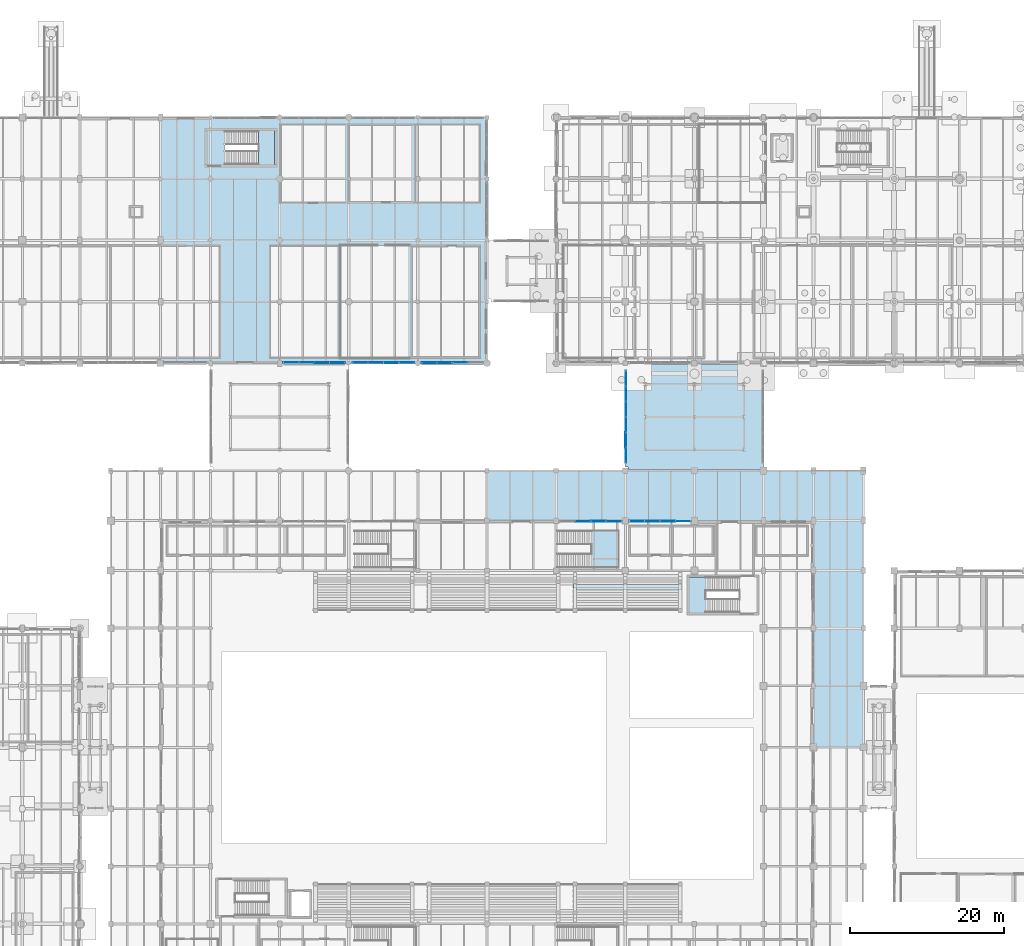
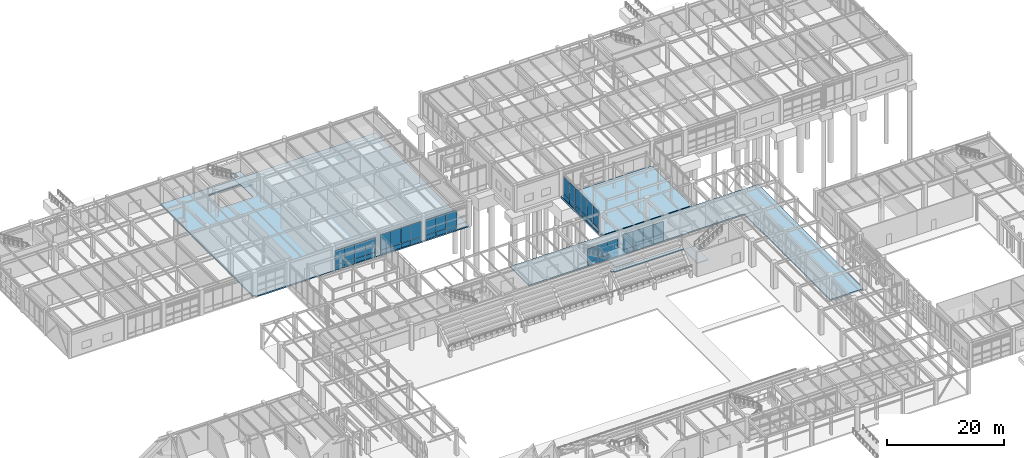
# One storey, part 156 of 203: 48 plates, 7 slabs, 9 elements without a shape of their own.
"""IFC4 building model written with IfcOpenShell, lengths in metres."""

from ifc_helpers import new_model, si_unit, direction, frame, origin, origin_2d, place, context, subcontext, project, spatial, polyline, rectangle, outline, extrude, material, layer, layer_set, type_object, element, aggregate, save


model = new_model("IFC4")

# Units and contexts
model_context = context("Model", 3, precision=1e-05, world=origin(), true_north=direction((0.0, 1.0)))
body_context = subcontext(model_context, "Body", "Model", "MODEL_VIEW")
ifc_project = project(units=[si_unit("LENGTHUNIT", "METRE"), si_unit("AREAUNIT", "SQUARE_METRE"), si_unit("VOLUMEUNIT", "CUBIC_METRE"), si_unit("PLANEANGLEUNIT", "RADIAN"), si_unit("MASSUNIT", "GRAM", prefix="KILO"), si_unit("THERMODYNAMICTEMPERATUREUNIT", "KELVIN"), si_unit("POWERUNIT", "WATT")], contexts=[model_context])

# Site, building, storey
site_placement = place(None, origin())
site = spatial("IfcSite", under=ifc_project, at=site_placement, CompositionType="ELEMENT")
building_placement = place(site_placement, origin())
building = spatial("IfcBuilding", under=site, at=building_placement, Name="Tepalcoro Natatorium and Aquatics Centre", CompositionType="ELEMENT")
storey_placement = place(building_placement, origin())
storey = spatial("IfcBuildingStorey", under=building, at=storey_placement, Name="L00", CompositionType="ELEMENT", Elevation=0.0)

# Curtain wall, plate
ifc_material_1 = material(Name="Bronze-Anodised Extruded Aluminium Alloy EN AW-6063 T6", Category="aluminium")
curtain_wall_type_1 = type_object("IfcCurtainWallType", Name="CW_V3_FOYER", PredefinedType="USERDEFINED", material=ifc_material_1)
curtain_wall_1_placement = place(storey_placement, origin())
curtain_wall_1 = element("IfcCurtainWall", 1, at=curtain_wall_1_placement, inside=storey, type_object=curtain_wall_type_1, Name="V1 L00 N Unitised Curtain Wall Bay 7", ObjectType="UNITISED STOREFRONT", PredefinedType="USERDEFINED")
ifc_material_2 = material(Name="Solar-Control Bronze Tempered Low-E Double Glazing", Category="glass")
ifc_layer_1 = layer(ifc_material_2, 0.048095703125)
ifc_layer_set_1 = layer_set([ifc_layer_1], Name="Solar-Control Bronze Tempered Low-E Double Glazing")
plate_type_1 = type_object("IfcPlateType", Name="PL_ACOUSTIC_IGU_48", PredefinedType="CURTAIN_PANEL", material=ifc_layer_set_1)
plate_1_placement = place(storey_placement, frame((101.4951171875, 65.409912109375, 0.9599609375), z_axis=(0.0, 0.0, 1.0), x_axis=(1.0, 0.0, 0.0)))
plate_1 = element("IfcPlate", 2, at=plate_1_placement, type_object=plate_type_1, Name="CW_V3_FOYER Insulated Glazing Unit", PredefinedType="CURTAIN_PANEL", context=body_context, shape_type="SweptSolid", body=[
    extrude(rectangle(XDim=1.989990234375, YDim=0.048095703125, at=origin_2d()), origin(), (0.0, 0.0, 1.0), 2.631103515625),
])

# Curtain wall, plates
curtain_wall_type_2 = type_object("IfcCurtainWallType", Name="CW_V4_VILLAGE", PredefinedType="USERDEFINED", material=ifc_material_1)
curtain_wall_2_placement = place(storey_placement, origin())
curtain_wall_2 = element("IfcCurtainWall", 3, at=curtain_wall_2_placement, inside=storey, type_object=curtain_wall_type_2, Name="V1 L00 N Unitised Curtain Wall Bay 8", ObjectType="UNITISED STOREFRONT", PredefinedType="USERDEFINED")
plate_2_placement = place(storey_placement, frame((108.485107421875, 65.423828125, 0.9599609375), z_axis=(0.0, 0.0, 1.0), x_axis=(1.0, 0.0, 0.0)))
plate_2 = element("IfcPlate", 4, at=plate_2_placement, type_object=plate_type_1, Name="CW_V4_VILLAGE Insulated Glazing Unit", PredefinedType="CURTAIN_PANEL", context=body_context, shape_type="SweptSolid", body=[
    extrude(rectangle(XDim=1.989990234375, YDim=0.048095703125, at=origin_2d()), origin(), (0.0, 0.0, 1.0), 3.14404296875),
])
plate_3_placement = place(storey_placement, frame((114.514892578125, 65.423828125, 0.9599609375), z_axis=(0.0, 0.0, 1.0), x_axis=(1.0, 0.0, 0.0)))
plate_3 = element("IfcPlate", 5, at=plate_3_placement, type_object=plate_type_1, Name="CW_V4_VILLAGE Insulated Glazing Unit", PredefinedType="CURTAIN_PANEL", context=body_context, shape_type="SweptSolid", body=[
    extrude(rectangle(XDim=1.989990234375, YDim=0.048095703125, at=origin_2d()), origin(), (0.0, 0.0, 1.0), 3.14404296875),
])

# Curtain wall, plate
curtain_wall_type_3 = type_object("IfcCurtainWallType", Name="CW_LEAN_T1_EW", PredefinedType="USERDEFINED", material=ifc_material_1)
curtain_wall_3_placement = place(storey_placement, origin())
curtain_wall_3 = element("IfcCurtainWall", 6, at=curtain_wall_3_placement, inside=storey, type_object=curtain_wall_type_3, Name="V4 L00 S Unitised Curtain Wall Bay 7", ObjectType="FACETED SOLAR GLAZING", PredefinedType="USERDEFINED")
plate_4_placement = place(storey_placement, frame((65.4951171875, 86.0712890625, 0.9599609375), z_axis=(0.0, 0.0, 1.0), x_axis=(1.0, 0.0, 0.0)))
plate_4 = element("IfcPlate", 7, at=plate_4_placement, type_object=plate_type_1, Name="CW_LEAN_T1_EW Insulated Glazing Unit", PredefinedType="CURTAIN_PANEL", context=body_context, shape_type="SweptSolid", body=[
    extrude(rectangle(XDim=1.989990234375, YDim=0.048095703125, at=origin_2d()), origin(), (0.0, 0.0, 1.0), 2.998046875),
])

# Curtain wall, plates
curtain_wall_type_4 = type_object("IfcCurtainWallType", Name="CW_LEAN_T2_NS", PredefinedType="USERDEFINED", material=ifc_material_1)
curtain_wall_4_placement = place(storey_placement, origin())
curtain_wall_4 = element("IfcCurtainWall", 8, at=curtain_wall_4_placement, inside=storey, type_object=curtain_wall_type_4, Name="V4 L00 S Unitised Curtain Wall Bay 8", ObjectType="FACETED SOLAR GLAZING", PredefinedType="USERDEFINED")
plate_5_placement = place(storey_placement, frame((72.485107421875, 86.076171875, 0.9599609375), z_axis=(0.0, 0.0, 1.0), x_axis=(1.0, 0.0, 0.0)))
plate_5 = element("IfcPlate", 9, at=plate_5_placement, type_object=plate_type_1, Name="CW_LEAN_T2_NS Insulated Glazing Unit", PredefinedType="CURTAIN_PANEL", context=body_context, shape_type="SweptSolid", body=[
    extrude(rectangle(XDim=1.989990234375, YDim=0.048095703125, at=origin_2d()), origin(), (0.0, 0.0, 1.0), 3.197021484375),
])
plate_6_placement = place(storey_placement, frame((78.514892578125, 86.076171875, 0.9599609375), z_axis=(0.0, 0.0, 1.0), x_axis=(1.0, 0.0, 0.0)))
plate_6 = element("IfcPlate", 10, at=plate_6_placement, type_object=plate_type_1, Name="CW_LEAN_T2_NS Insulated Glazing Unit", PredefinedType="CURTAIN_PANEL", context=body_context, shape_type="SweptSolid", body=[
    extrude(rectangle(XDim=1.989990234375, YDim=0.048095703125, at=origin_2d()), origin(), (0.0, 0.0, 1.0), 3.197021484375),
])

# Curtain wall, plate
curtain_wall_type_5 = type_object("IfcCurtainWallType", Name="CW_LEAN_T2_EW", PredefinedType="USERDEFINED", material=ifc_material_1)
curtain_wall_5_placement = place(storey_placement, origin())
curtain_wall_5 = element("IfcCurtainWall", 11, at=curtain_wall_5_placement, inside=storey, type_object=curtain_wall_type_5, Name="V4 L00 S Unitised Curtain Wall Bay 9", ObjectType="FACETED SOLAR GLAZING", PredefinedType="USERDEFINED")
plate_7_placement = place(storey_placement, frame((85.5048828125, 86.0712890625, 0.9599609375), z_axis=(0.0, 0.0, 1.0), x_axis=(1.0, 0.0, 0.0)))
plate_7 = element("IfcPlate", 12, at=plate_7_placement, type_object=plate_type_1, Name="CW_LEAN_T2_EW Insulated Glazing Unit", PredefinedType="CURTAIN_PANEL", context=body_context, shape_type="SweptSolid", body=[
    extrude(rectangle(XDim=1.989990234375, YDim=0.048095703125, at=origin_2d()), origin(), (0.0, 0.0, 1.0), 3.14990234375),
])

# Curtain wall, plates
curtain_wall_type_6 = type_object("IfcCurtainWallType", Name="CW_LINK_150", PredefinedType="USERDEFINED", material=ifc_material_1)
curtain_wall_6_placement = place(storey_placement, origin())
curtain_wall_6 = element("IfcCurtainWall", 13, at=curtain_wall_6_placement, inside=storey, type_object=curtain_wall_type_6, Name="East Court Wellness Arcade Glazed Wall W L00", ObjectType="UNITISED STOREFRONT", PredefinedType="USERDEFINED")
plate_8_placement = place(storey_placement, frame((107.080078125, 76.0, 0.9599609375), z_axis=(0.0, 0.0, 1.0), x_axis=(1.0, 0.0, 0.0)))
plate_8 = element("IfcPlate", 14, at=plate_8_placement, type_object=plate_type_1, Name="CW_LINK_150 Insulated Glazing Unit", PredefinedType="CURTAIN_PANEL", context=body_context, shape_type="SweptSolid", body=[
    extrude(rectangle(XDim=0.048095703125, YDim=1.97998046875, at=origin_2d()), origin(), (0.0, 0.0, 1.0), 3.639892578125),
])
plate_9_placement = place(storey_placement, frame((107.080078125, 82.0, 0.9599609375), z_axis=(0.0, 0.0, 1.0), x_axis=(1.0, 0.0, 0.0)))
plate_9 = element("IfcPlate", 15, at=plate_9_placement, type_object=plate_type_1, Name="CW_LINK_150 Insulated Glazing Unit", PredefinedType="CURTAIN_PANEL", context=body_context, shape_type="SweptSolid", body=[
    extrude(rectangle(XDim=0.048095703125, YDim=1.97998046875, at=origin_2d()), origin(), (0.0, 0.0, 1.0), 3.639892578125),
])

# Plate
ifc_layer_2 = layer(ifc_material_2, 0.028076171875)
ifc_layer_set_2 = layer_set([ifc_layer_2], Name="Solar-Control Bronze Tempered Low-E Double Glazing")
plate_type_2 = type_object("IfcPlateType", Name="PL_BRONZE_IGU_28", PredefinedType="CURTAIN_PANEL", material=ifc_layer_set_2)
plate_10_placement = place(storey_placement, frame((105.514892578125, 65.409912109375, 0.9599609375), z_axis=(0.0, 0.0, 1.0), x_axis=(1.0, 0.0, 0.0)))
plate_10 = element("IfcPlate", 16, at=plate_10_placement, type_object=plate_type_2, Name="CW_V3_FOYER Insulated Glazing Unit", PredefinedType="CURTAIN_PANEL", context=body_context, shape_type="SweptSolid", body=[
    extrude(rectangle(XDim=1.989990234375, YDim=0.028076171875, at=origin_2d()), origin(), (0.0, 0.0, 1.0), 2.631103515625),
])

plate_11_placement = place(storey_placement, frame((112.5048828125, 65.423828125, 0.9599609375), z_axis=(0.0, 0.0, 1.0), x_axis=(1.0, 0.0, 0.0)))
plate_11 = element("IfcPlate", 17, at=plate_11_placement, type_object=plate_type_2, Name="CW_V4_VILLAGE Insulated Glazing Unit", PredefinedType="CURTAIN_PANEL", context=body_context, shape_type="SweptSolid", body=[
    extrude(rectangle(XDim=1.989990234375, YDim=0.028076171875, at=origin_2d()), origin(), (0.0, 0.0, 1.0), 3.14404296875),
])

plate_12_placement = place(storey_placement, frame((63.485107421875, 86.0712890625, 0.9599609375), z_axis=(0.0, 0.0, 1.0), x_axis=(1.0, 0.0, 0.0)))
plate_12 = element("IfcPlate", 18, at=plate_12_placement, type_object=plate_type_2, Name="CW_LEAN_T1_EW Insulated Glazing Unit", PredefinedType="CURTAIN_PANEL", context=body_context, shape_type="SweptSolid", body=[
    extrude(rectangle(XDim=1.989990234375, YDim=0.028076171875, at=origin_2d()), origin(), (0.0, 0.0, 1.0), 2.998046875),
])

plate_13_placement = place(storey_placement, frame((69.514892578125, 86.0712890625, 0.9599609375), z_axis=(0.0, 0.0, 1.0), x_axis=(1.0, 0.0, 0.0)))
plate_13 = element("IfcPlate", 19, at=plate_13_placement, type_object=plate_type_2, Name="CW_LEAN_T1_EW Insulated Glazing Unit", PredefinedType="CURTAIN_PANEL", context=body_context, shape_type="SweptSolid", body=[
    extrude(rectangle(XDim=1.989990234375, YDim=0.028076171875, at=origin_2d()), origin(), (0.0, 0.0, 1.0), 2.998046875),
])

plate_14_placement = place(storey_placement, frame((76.5048828125, 86.076171875, 0.9599609375), z_axis=(0.0, 0.0, 1.0), x_axis=(1.0, 0.0, 0.0)))
plate_14 = element("IfcPlate", 20, at=plate_14_placement, type_object=plate_type_2, Name="CW_LEAN_T2_NS Insulated Glazing Unit", PredefinedType="CURTAIN_PANEL", context=body_context, shape_type="SweptSolid", body=[
    extrude(rectangle(XDim=1.989990234375, YDim=0.028076171875, at=origin_2d()), origin(), (0.0, 0.0, 1.0), 3.197021484375),
])

plate_15_placement = place(storey_placement, frame((83.4951171875, 86.0712890625, 0.9599609375), z_axis=(0.0, 0.0, 1.0), x_axis=(1.0, 0.0, 0.0)))
plate_15 = element("IfcPlate", 21, at=plate_15_placement, type_object=plate_type_2, Name="CW_LEAN_T2_EW Insulated Glazing Unit", PredefinedType="CURTAIN_PANEL", context=body_context, shape_type="SweptSolid", body=[
    extrude(rectangle(XDim=1.989990234375, YDim=0.028076171875, at=origin_2d()), origin(), (0.0, 0.0, 1.0), 3.14990234375),
])

plate_16_placement = place(storey_placement, frame((107.080078125, 74.0, 0.9599609375), z_axis=(0.0, 0.0, 1.0), x_axis=(1.0, 0.0, 0.0)))
plate_16 = element("IfcPlate", 22, at=plate_16_placement, type_object=plate_type_2, Name="CW_LINK_150 Insulated Glazing Unit", PredefinedType="CURTAIN_PANEL", context=body_context, shape_type="SweptSolid", body=[
    extrude(rectangle(XDim=0.028076171875, YDim=1.97998046875, at=origin_2d()), origin(), (0.0, 0.0, 1.0), 3.639892578125),
])

plate_17_placement = place(storey_placement, frame((107.080078125, 80.0, 0.9599609375), z_axis=(0.0, 0.0, 1.0), x_axis=(1.0, 0.0, 0.0)))
plate_17 = element("IfcPlate", 23, at=plate_17_placement, type_object=plate_type_2, Name="CW_LINK_150 Insulated Glazing Unit", PredefinedType="CURTAIN_PANEL", context=body_context, shape_type="SweptSolid", body=[
    extrude(rectangle(XDim=0.028076171875, YDim=1.97998046875, at=origin_2d()), origin(), (0.0, 0.0, 1.0), 3.639892578125),
])

ifc_material_3 = material(Name="Jalisco Cantera Rosa Volcanic Tuff Ashlar Masonry", Category="masonry")
ifc_layer_3 = layer(ifc_material_3, 0.090087890625)
ifc_layer_set_3 = layer_set([ifc_layer_3], Name="Jalisco Cantera Rosa Volcanic Tuff Ashlar Masonry")
plate_type_3 = type_object("IfcPlateType", Name="PL_CANTERA_90", PredefinedType="SHEET", material=ifc_layer_set_3)
plate_18_placement = place(storey_placement, frame((101.4951171875, 65.409912109375, 0.044921875), z_axis=(0.0, 0.0, 1.0), x_axis=(1.0, 0.0, 0.0)))
plate_18 = element("IfcPlate", 24, at=plate_18_placement, type_object=plate_type_3, Name="CW_V3_FOYER Spandrel & Screen Panel", PredefinedType="SHEET", context=body_context, shape_type="SweptSolid", body=[
    extrude(rectangle(XDim=1.989990234375, YDim=0.090087890625, at=origin_2d()), origin(), (0.0, 0.0, 1.0), 0.909912109375),
])

plate_19_placement = place(storey_placement, frame((108.485107421875, 65.423828125, 0.044921875), z_axis=(0.0, 0.0, 1.0), x_axis=(1.0, 0.0, 0.0)))
plate_19 = element("IfcPlate", 25, at=plate_19_placement, type_object=plate_type_3, Name="CW_V4_VILLAGE Spandrel & Screen Panel", PredefinedType="SHEET", context=body_context, shape_type="SweptSolid", body=[
    extrude(rectangle(XDim=1.989990234375, YDim=0.090087890625, at=origin_2d()), origin(), (0.0, 0.0, 1.0), 0.909912109375),
])

plate_20_placement = place(storey_placement, frame((67.5048828125, 86.0712890625, 0.044921875), z_axis=(0.0, 0.0, 1.0), x_axis=(1.0, 0.0, 0.0)))
plate_20 = element("IfcPlate", 26, at=plate_20_placement, type_object=plate_type_3, Name="CW_LEAN_T1_EW Spandrel & Screen Panel", PredefinedType="SHEET", context=body_context, shape_type="SweptSolid", body=[
    extrude(rectangle(XDim=1.989990234375, YDim=0.090087890625, at=origin_2d()), origin(), (0.0, 0.0, 1.0), 0.909912109375),
])

plate_21_placement = place(storey_placement, frame((74.4951171875, 86.076171875, 0.044921875), z_axis=(0.0, 0.0, 1.0), x_axis=(1.0, 0.0, 0.0)))
plate_21 = element("IfcPlate", 27, at=plate_21_placement, type_object=plate_type_3, Name="CW_LEAN_T2_NS Spandrel & Screen Panel", PredefinedType="SHEET", context=body_context, shape_type="SweptSolid", body=[
    extrude(rectangle(XDim=1.989990234375, YDim=0.090087890625, at=origin_2d()), origin(), (0.0, 0.0, 1.0), 0.909912109375),
])

plate_22_placement = place(storey_placement, frame((81.485107421875, 86.0712890625, 0.044921875), z_axis=(0.0, 0.0, 1.0), x_axis=(1.0, 0.0, 0.0)))
plate_22 = element("IfcPlate", 28, at=plate_22_placement, type_object=plate_type_3, Name="CW_LEAN_T2_EW Spandrel & Screen Panel", PredefinedType="SHEET", context=body_context, shape_type="SweptSolid", body=[
    extrude(rectangle(XDim=1.989990234375, YDim=0.090087890625, at=origin_2d()), origin(), (0.0, 0.0, 1.0), 0.909912109375),
])

plate_23_placement = place(storey_placement, frame((107.080078125, 74.0, 0.044921875), z_axis=(0.0, 0.0, 1.0), x_axis=(1.0, 0.0, 0.0)))
plate_23 = element("IfcPlate", 29, at=plate_23_placement, type_object=plate_type_3, Name="CW_LINK_150 Spandrel & Screen Panel", PredefinedType="SHEET", context=body_context, shape_type="SweptSolid", body=[
    extrude(rectangle(XDim=0.090087890625, YDim=1.97998046875, at=origin_2d()), origin(), (0.0, 0.0, 1.0), 0.909912109375),
])

plate_24_placement = place(storey_placement, frame((107.080078125, 84.0, 0.044921875), z_axis=(0.0, 0.0, 1.0), x_axis=(1.0, 0.0, 0.0)))
plate_24 = element("IfcPlate", 30, at=plate_24_placement, type_object=plate_type_3, Name="CW_LINK_150 Spandrel & Screen Panel", PredefinedType="SHEET", context=body_context, shape_type="SweptSolid", body=[
    extrude(rectangle(XDim=0.090087890625, YDim=1.97998046875, at=origin_2d()), origin(), (0.0, 0.0, 1.0), 0.909912109375),
])

ifc_material_4 = material(Name="Clear Tempered Low-E Safety Glazing", Category="glass")
ifc_layer_4 = layer(ifc_material_4, 0.011962890625)
ifc_layer_set_4 = layer_set([ifc_layer_4], Name="Clear Tempered Low-E Safety Glazing")
plate_type_4 = type_object("IfcPlateType", Name="PL_GLASS_12", PredefinedType="CURTAIN_PANEL", material=ifc_layer_set_4)
plate_25_placement = place(storey_placement, frame((103.5048828125, 65.409912109375, 0.9599609375), z_axis=(0.0, 0.0, 1.0), x_axis=(1.0, 0.0, 0.0)))
plate_25 = element("IfcPlate", 31, at=plate_25_placement, type_object=plate_type_4, Name="CW_V3_FOYER Insulated Glazing Unit", PredefinedType="CURTAIN_PANEL", context=body_context, shape_type="SweptSolid", body=[
    extrude(rectangle(XDim=1.989990234375, YDim=0.011962890625, at=origin_2d()), origin(), (0.0, 0.0, 1.0), 2.631103515625),
])

plate_26_placement = place(storey_placement, frame((110.4951171875, 65.423828125, 0.9599609375), z_axis=(0.0, 0.0, 1.0), x_axis=(1.0, 0.0, 0.0)))
plate_26 = element("IfcPlate", 32, at=plate_26_placement, type_object=plate_type_4, Name="CW_V4_VILLAGE Insulated Glazing Unit", PredefinedType="CURTAIN_PANEL", context=body_context, shape_type="SweptSolid", body=[
    extrude(rectangle(XDim=1.989990234375, YDim=0.011962890625, at=origin_2d()), origin(), (0.0, 0.0, 1.0), 3.14404296875),
])

plate_27_placement = place(storey_placement, frame((67.5048828125, 86.0712890625, 0.9599609375), z_axis=(0.0, 0.0, 1.0), x_axis=(1.0, 0.0, 0.0)))
plate_27 = element("IfcPlate", 33, at=plate_27_placement, type_object=plate_type_4, Name="CW_LEAN_T1_EW Insulated Glazing Unit", PredefinedType="CURTAIN_PANEL", context=body_context, shape_type="SweptSolid", body=[
    extrude(rectangle(XDim=1.989990234375, YDim=0.011962890625, at=origin_2d()), origin(), (0.0, 0.0, 1.0), 2.998046875),
])

plate_28_placement = place(storey_placement, frame((74.4951171875, 86.076171875, 0.9599609375), z_axis=(0.0, 0.0, 1.0), x_axis=(1.0, 0.0, 0.0)))
plate_28 = element("IfcPlate", 34, at=plate_28_placement, type_object=plate_type_4, Name="CW_LEAN_T2_NS Insulated Glazing Unit", PredefinedType="CURTAIN_PANEL", context=body_context, shape_type="SweptSolid", body=[
    extrude(rectangle(XDim=1.989990234375, YDim=0.011962890625, at=origin_2d()), origin(), (0.0, 0.0, 1.0), 3.197021484375),
])

plate_29_placement = place(storey_placement, frame((81.485107421875, 86.0712890625, 0.9599609375), z_axis=(0.0, 0.0, 1.0), x_axis=(1.0, 0.0, 0.0)))
plate_29 = element("IfcPlate", 35, at=plate_29_placement, type_object=plate_type_4, Name="CW_LEAN_T2_EW Insulated Glazing Unit", PredefinedType="CURTAIN_PANEL", context=body_context, shape_type="SweptSolid", body=[
    extrude(rectangle(XDim=1.989990234375, YDim=0.011962890625, at=origin_2d()), origin(), (0.0, 0.0, 1.0), 3.14990234375),
])

plate_30_placement = place(storey_placement, frame((107.080078125, 78.0, 0.9599609375), z_axis=(0.0, 0.0, 1.0), x_axis=(1.0, 0.0, 0.0)))
plate_30 = element("IfcPlate", 36, at=plate_30_placement, type_object=plate_type_4, Name="CW_LINK_150 Insulated Glazing Unit", PredefinedType="CURTAIN_PANEL", context=body_context, shape_type="SweptSolid", body=[
    extrude(rectangle(XDim=0.011962890625, YDim=1.97998046875, at=origin_2d()), origin(), (0.0, 0.0, 1.0), 3.639892578125),
])

plate_31_placement = place(storey_placement, frame((107.080078125, 84.0, 0.9599609375), z_axis=(0.0, 0.0, 1.0), x_axis=(1.0, 0.0, 0.0)))
plate_31 = element("IfcPlate", 37, at=plate_31_placement, type_object=plate_type_4, Name="CW_LINK_150 Insulated Glazing Unit", PredefinedType="CURTAIN_PANEL", context=body_context, shape_type="SweptSolid", body=[
    extrude(rectangle(XDim=0.011962890625, YDim=1.97998046875, at=origin_2d()), origin(), (0.0, 0.0, 1.0), 3.639892578125),
])

ifc_material_5 = material(Name="Volcanic Recinto Basalt Ashlar Masonry", Category="masonry")
ifc_layer_5 = layer(ifc_material_5, 0.110107421875)
ifc_layer_set_5 = layer_set([ifc_layer_5], Name="Volcanic Recinto Basalt Ashlar Masonry")
plate_type_5 = type_object("IfcPlateType", Name="PL_RECINTO_110", PredefinedType="SHEET", material=ifc_layer_set_5)
plate_32_placement = place(storey_placement, frame((103.5048828125, 65.409912109375, 0.044921875), z_axis=(0.0, 0.0, 1.0), x_axis=(1.0, 0.0, 0.0)))
plate_32 = element("IfcPlate", 38, at=plate_32_placement, type_object=plate_type_5, Name="CW_V3_FOYER Spandrel & Screen Panel", PredefinedType="SHEET", context=body_context, shape_type="SweptSolid", body=[
    extrude(rectangle(XDim=1.989990234375, YDim=0.110107421875, at=origin_2d()), origin(), (0.0, 0.0, 1.0), 0.909912109375),
])

plate_33_placement = place(storey_placement, frame((110.4951171875, 65.423828125, 0.044921875), z_axis=(0.0, 0.0, 1.0), x_axis=(1.0, 0.0, 0.0)))
plate_33 = element("IfcPlate", 39, at=plate_33_placement, type_object=plate_type_5, Name="CW_V4_VILLAGE Spandrel & Screen Panel", PredefinedType="SHEET", context=body_context, shape_type="SweptSolid", body=[
    extrude(rectangle(XDim=1.989990234375, YDim=0.110107421875, at=origin_2d()), origin(), (0.0, 0.0, 1.0), 0.909912109375),
])

plate_34_placement = place(storey_placement, frame((69.514892578125, 86.0712890625, 0.044921875), z_axis=(0.0, 0.0, 1.0), x_axis=(1.0, 0.0, 0.0)))
plate_34 = element("IfcPlate", 40, at=plate_34_placement, type_object=plate_type_5, Name="CW_LEAN_T1_EW Spandrel & Screen Panel", PredefinedType="SHEET", context=body_context, shape_type="SweptSolid", body=[
    extrude(rectangle(XDim=1.989990234375, YDim=0.110107421875, at=origin_2d()), origin(), (0.0, 0.0, 1.0), 0.909912109375),
])

plate_35_placement = place(storey_placement, frame((76.5048828125, 86.076171875, 0.044921875), z_axis=(0.0, 0.0, 1.0), x_axis=(1.0, 0.0, 0.0)))
plate_35 = element("IfcPlate", 41, at=plate_35_placement, type_object=plate_type_5, Name="CW_LEAN_T2_NS Spandrel & Screen Panel", PredefinedType="SHEET", context=body_context, shape_type="SweptSolid", body=[
    extrude(rectangle(XDim=1.989990234375, YDim=0.110107421875, at=origin_2d()), origin(), (0.0, 0.0, 1.0), 0.909912109375),
])

plate_36_placement = place(storey_placement, frame((83.4951171875, 86.0712890625, 0.044921875), z_axis=(0.0, 0.0, 1.0), x_axis=(1.0, 0.0, 0.0)))
plate_36 = element("IfcPlate", 42, at=plate_36_placement, type_object=plate_type_5, Name="CW_LEAN_T2_EW Spandrel & Screen Panel", PredefinedType="SHEET", context=body_context, shape_type="SweptSolid", body=[
    extrude(rectangle(XDim=1.989990234375, YDim=0.110107421875, at=origin_2d()), origin(), (0.0, 0.0, 1.0), 0.909912109375),
])

plate_37_placement = place(storey_placement, frame((107.080078125, 76.0, 0.044921875), z_axis=(0.0, 0.0, 1.0), x_axis=(1.0, 0.0, 0.0)))
plate_37 = element("IfcPlate", 43, at=plate_37_placement, type_object=plate_type_5, Name="CW_LINK_150 Spandrel & Screen Panel", PredefinedType="SHEET", context=body_context, shape_type="SweptSolid", body=[
    extrude(rectangle(XDim=0.110107421875, YDim=1.97998046875, at=origin_2d()), origin(), (0.0, 0.0, 1.0), 0.909912109375),
])

ifc_layer_6 = layer(ifc_material_1, 0.050048828125)
ifc_layer_set_6 = layer_set([ifc_layer_6], Name="Bronze-Anodised Extruded Aluminium Alloy EN AW-6063 T6")
plate_type_6 = type_object("IfcPlateType", Name="PL_SCREEN_50", PredefinedType="SHEET", material=ifc_layer_set_6)
plate_38_placement = place(storey_placement, frame((114.514892578125, 65.423828125, 0.044921875), z_axis=(0.0, 0.0, 1.0), x_axis=(1.0, 0.0, 0.0)))
plate_38 = element("IfcPlate", 44, at=plate_38_placement, type_object=plate_type_6, Name="CW_V4_VILLAGE Spandrel & Screen Panel", PredefinedType="SHEET", context=body_context, shape_type="SweptSolid", body=[
    extrude(rectangle(XDim=1.989990234375, YDim=0.050048828125, at=origin_2d()), origin(), (0.0, 0.0, 1.0), 0.909912109375),
])

plate_39_placement = place(storey_placement, frame((63.485107421875, 86.0712890625, 0.044921875), z_axis=(0.0, 0.0, 1.0), x_axis=(1.0, 0.0, 0.0)))
plate_39 = element("IfcPlate", 45, at=plate_39_placement, type_object=plate_type_6, Name="CW_LEAN_T1_EW Spandrel & Screen Panel", PredefinedType="SHEET", context=body_context, shape_type="SweptSolid", body=[
    extrude(rectangle(XDim=1.989990234375, YDim=0.050048828125, at=origin_2d()), origin(), (0.0, 0.0, 1.0), 0.909912109375),
])

plate_40_placement = place(storey_placement, frame((107.080078125, 80.0, 0.044921875), z_axis=(0.0, 0.0, 1.0), x_axis=(1.0, 0.0, 0.0)))
plate_40 = element("IfcPlate", 46, at=plate_40_placement, type_object=plate_type_6, Name="CW_LINK_150 Spandrel & Screen Panel", PredefinedType="SHEET", context=body_context, shape_type="SweptSolid", body=[
    extrude(rectangle(XDim=0.050048828125, YDim=1.97998046875, at=origin_2d()), origin(), (0.0, 0.0, 1.0), 0.909912109375),
])

ifc_layer_7 = layer(ifc_material_1, 0.06005859375)
ifc_layer_set_7 = layer_set([ifc_layer_7], Name="Bronze-Anodised Extruded Aluminium Alloy EN AW-6063 T6")
plate_type_7 = type_object("IfcPlateType", Name="PL_SCREEN_60", PredefinedType="SHEET", material=ifc_layer_set_7)
plate_41_placement = place(storey_placement, frame((65.4951171875, 86.0712890625, 0.044921875), z_axis=(0.0, 0.0, 1.0), x_axis=(1.0, 0.0, 0.0)))
plate_41 = element("IfcPlate", 47, at=plate_41_placement, type_object=plate_type_7, Name="CW_LEAN_T1_EW Spandrel & Screen Panel", PredefinedType="SHEET", context=body_context, shape_type="SweptSolid", body=[
    extrude(rectangle(XDim=1.989990234375, YDim=0.06005859375, at=origin_2d()), origin(), (0.0, 0.0, 1.0), 0.909912109375),
])

aggregate(curtain_wall_3, [plate_12, plate_39, plate_4, plate_41, plate_27, plate_20, plate_13, plate_34])

plate_42_placement = place(storey_placement, frame((72.485107421875, 86.076171875, 0.044921875), z_axis=(0.0, 0.0, 1.0), x_axis=(1.0, 0.0, 0.0)))
plate_42 = element("IfcPlate", 48, at=plate_42_placement, type_object=plate_type_7, Name="CW_LEAN_T2_NS Spandrel & Screen Panel", PredefinedType="SHEET", context=body_context, shape_type="SweptSolid", body=[
    extrude(rectangle(XDim=1.989990234375, YDim=0.06005859375, at=origin_2d()), origin(), (0.0, 0.0, 1.0), 0.909912109375),
])

plate_43_placement = place(storey_placement, frame((107.080078125, 82.0, 0.044921875), z_axis=(0.0, 0.0, 1.0), x_axis=(1.0, 0.0, 0.0)))
plate_43 = element("IfcPlate", 49, at=plate_43_placement, type_object=plate_type_7, Name="CW_LINK_150 Spandrel & Screen Panel", PredefinedType="SHEET", context=body_context, shape_type="SweptSolid", body=[
    extrude(rectangle(XDim=0.06005859375, YDim=1.97998046875, at=origin_2d()), origin(), (0.0, 0.0, 1.0), 0.909912109375),
])

ifc_material_6 = material(Name="Insulated Bronze Anodised Aluminium Spandrel Panel", Category="aluminium")
ifc_layer_8 = layer(ifc_material_6, 0.070068359375)
ifc_layer_set_8 = layer_set([ifc_layer_8], Name="Insulated Bronze Anodised Aluminium Spandrel Panel")
plate_type_8 = type_object("IfcPlateType", Name="PL_SPANDREL_70", PredefinedType="CURTAIN_PANEL", material=ifc_layer_set_8)
plate_44_placement = place(storey_placement, frame((105.514892578125, 65.409912109375, 0.044921875), z_axis=(0.0, 0.0, 1.0), x_axis=(1.0, 0.0, 0.0)))
plate_44 = element("IfcPlate", 50, at=plate_44_placement, type_object=plate_type_8, Name="CW_V3_FOYER Spandrel & Screen Panel", PredefinedType="CURTAIN_PANEL", context=body_context, shape_type="SweptSolid", body=[
    extrude(rectangle(XDim=1.989990234375, YDim=0.070068359375, at=origin_2d()), origin(), (0.0, 0.0, 1.0), 0.909912109375),
])

aggregate(curtain_wall_1, [plate_1, plate_18, plate_25, plate_32, plate_10, plate_44])

plate_45_placement = place(storey_placement, frame((112.5048828125, 65.423828125, 0.044921875), z_axis=(0.0, 0.0, 1.0), x_axis=(1.0, 0.0, 0.0)))
plate_45 = element("IfcPlate", 51, at=plate_45_placement, type_object=plate_type_8, Name="CW_V4_VILLAGE Spandrel & Screen Panel", PredefinedType="CURTAIN_PANEL", context=body_context, shape_type="SweptSolid", body=[
    extrude(rectangle(XDim=1.989990234375, YDim=0.070068359375, at=origin_2d()), origin(), (0.0, 0.0, 1.0), 0.909912109375),
])

aggregate(curtain_wall_2, [plate_2, plate_19, plate_26, plate_33, plate_11, plate_45, plate_3, plate_38])

plate_46_placement = place(storey_placement, frame((78.514892578125, 86.076171875, 0.044921875), z_axis=(0.0, 0.0, 1.0), x_axis=(1.0, 0.0, 0.0)))
plate_46 = element("IfcPlate", 52, at=plate_46_placement, type_object=plate_type_8, Name="CW_LEAN_T2_NS Spandrel & Screen Panel", PredefinedType="CURTAIN_PANEL", context=body_context, shape_type="SweptSolid", body=[
    extrude(rectangle(XDim=1.989990234375, YDim=0.070068359375, at=origin_2d()), origin(), (0.0, 0.0, 1.0), 0.909912109375),
])

aggregate(curtain_wall_4, [plate_5, plate_42, plate_28, plate_21, plate_14, plate_35, plate_6, plate_46])

plate_47_placement = place(storey_placement, frame((85.5048828125, 86.0712890625, 0.044921875), z_axis=(0.0, 0.0, 1.0), x_axis=(1.0, 0.0, 0.0)))
plate_47 = element("IfcPlate", 53, at=plate_47_placement, type_object=plate_type_8, Name="CW_LEAN_T2_EW Spandrel & Screen Panel", PredefinedType="CURTAIN_PANEL", context=body_context, shape_type="SweptSolid", body=[
    extrude(rectangle(XDim=1.989990234375, YDim=0.070068359375, at=origin_2d()), origin(), (0.0, 0.0, 1.0), 0.909912109375),
])

aggregate(curtain_wall_5, [plate_29, plate_22, plate_15, plate_36, plate_7, plate_47])

plate_48_placement = place(storey_placement, frame((107.080078125, 78.0, 0.044921875), z_axis=(0.0, 0.0, 1.0), x_axis=(1.0, 0.0, 0.0)))
plate_48 = element("IfcPlate", 54, at=plate_48_placement, type_object=plate_type_8, Name="CW_LINK_150 Spandrel & Screen Panel", PredefinedType="CURTAIN_PANEL", context=body_context, shape_type="SweptSolid", body=[
    extrude(rectangle(XDim=0.070068359375, YDim=1.97998046875, at=origin_2d()), origin(), (0.0, 0.0, 1.0), 0.909912109375),
])

aggregate(curtain_wall_6, [plate_16, plate_23, plate_8, plate_37, plate_30, plate_48, plate_17, plate_40, plate_9, plate_43, plate_31, plate_24])

# Slabs
ifc_material_7 = material(Name="Concrete C40/50 (fc 40 MPa)", Category="concrete")
ifc_layer_9 = layer(ifc_material_7, 0.419921875)
ifc_layer_set_9 = layer_set([ifc_layer_9], Name="Concrete C40/50 (fc 40 MPa)")
slab_type_1 = type_object("IfcSlabType", Name="SL_BASE_420", PredefinedType="BASESLAB", material=ifc_layer_set_9)
slab_1_placement = place(storey_placement, frame((0.0, 0.0, -0.419921875)))
element("IfcSlab", 55, at=slab_1_placement, inside=storey, type_object=slab_type_1, Name="East Court Wellness Arcade L00 Slab", PredefinedType="BASESLAB", context=body_context, shape_type="SweptSolid", body=[
    extrude(outline(polyline([(107.0, 85.85009765625), (125.0, 85.85009765625), (125.0, 72.14990234375), (107.35009765625, 72.14990234375), (107.35009765625, 72.5), (107.0, 72.5), (107.0, 85.85009765625)])), origin(), (0.0, 0.0, 1.0), 0.419921875),
])
ifc_material_8 = material(Name="Concrete C35/45 (fc 35 MPa)", Category="concrete")
ifc_layer_10 = layer(ifc_material_8, 0.260009765625)
ifc_layer_set_10 = layer_set([ifc_layer_10], Name="Concrete C35/45 (fc 35 MPa)")
slab_type_2 = type_object("IfcSlabType", Name="SL_FLOOR_260", PredefinedType="FLOOR", material=ifc_layer_set_10)
slab_2_placement = place(storey_placement, frame((0.0, 0.0, -0.260009765625)))
element("IfcSlab", 56, at=slab_2_placement, inside=storey, type_object=slab_type_2, Name="V4 L00 Natatorium and Civic Floor Slab E", PredefinedType="FLOOR", context=body_context, shape_type="SweptSolid", body=[
    extrude(outline(polyline([(46.85009765625, 86.0), (46.85009765625, 86.35009765625), (46.5, 86.35009765625), (46.5, 118.0), (89.0, 118.0), (89.0, 86.0), (46.85009765625, 86.0)]), holes=[polyline([(54.8798828125, 111.85009765625), (61.300048828125, 111.85009765625), (61.300048828125, 116.25), (54.8798828125, 116.25), (54.8798828125, 111.85009765625)])]), origin(), (0.0, 0.0, 1.0), 0.260009765625),
])
ifc_layer_11 = layer(ifc_material_8, 0.280029296875)
ifc_layer_set_11 = layer_set([ifc_layer_11], Name="Concrete C35/45 (fc 35 MPa)")
slab_type_3 = type_object("IfcSlabType", Name="SL_FLOOR_280", PredefinedType="FLOOR", material=ifc_layer_set_11)
slab_3_placement = place(storey_placement, frame((0.0, 0.0, -0.280029296875)))
element("IfcSlab", 57, at=slab_3_placement, inside=storey, type_object=slab_type_3, Name="V1 Covered Plinth Colonnade Apron NE", PredefinedType="FLOOR", context=body_context, shape_type="SweptSolid", body=[
    extrude(outline(polyline([(138.0, 72.0), (138.0, 36.0), (131.5, 36.0), (131.5, 65.5), (89.0, 65.5), (89.0, 72.0), (138.0, 72.0)])), origin(), (0.0, 0.0, 1.0), 0.280029296875),
])

# Stair, slab
stair_type_1 = type_object("IfcStairType", Name="ST_RC_1800_L01", PredefinedType="HALF_TURN_STAIR", material=ifc_material_8)
stair_1_placement = place(storey_placement, origin())
stair_1 = element("IfcStair", 58, at=stair_1_placement, inside=storey, type_object=stair_type_1, Name="Natatorium East Fire Stair (L00 to L01)", PredefinedType="HALF_TURN_STAIR")
ifc_layer_12 = layer(ifc_material_8, 0.199951171875)
ifc_layer_set_12 = layer_set([ifc_layer_12], Name="Concrete C35/45 (fc 35 MPa)")
slab_type_4 = type_object("IfcSlabType", Name="SL_LANDING_200", PredefinedType="LANDING", material=ifc_layer_set_12)
slab_4_placement = place(storey_placement, frame((0.0, 0.0, 2.5)))
slab_4 = element("IfcSlab", 59, at=slab_4_placement, type_object=slab_type_4, Name="Natatorium East Fire Stair (L00 to L01) Half-Landing", PredefinedType="LANDING", context=body_context, shape_type="SweptSolid", body=[
    extrude(outline(polyline([(115.31005859375, 53.510009765625), (117.485107421875, 53.510009765625), (117.485107421875, 58.18994140625), (115.31005859375, 58.18994140625), (115.31005859375, 53.510009765625)])), origin(), (0.0, 0.0, 1.0), 0.199951171875),
])
aggregate(stair_1, [slab_4])

stair_type_2 = type_object("IfcStairType", Name="ST_RC_1800_L02", PredefinedType="HALF_TURN_STAIR", material=ifc_material_8)
stair_2_placement = place(storey_placement, origin())
stair_2 = element("IfcStair", 60, at=stair_2_placement, inside=storey, type_object=stair_type_2, Name="Training Wing East Fire Stair (L00 to L01)", PredefinedType="HALF_TURN_STAIR")
slab_5_placement = place(storey_placement, frame((0.0, 0.0, 2.5)))
slab_5 = element("IfcSlab", 61, at=slab_5_placement, type_object=slab_type_4, Name="Training Wing East Fire Stair (L00 to L01) Half-Landing", PredefinedType="LANDING", context=body_context, shape_type="SweptSolid", body=[
    extrude(outline(polyline([(59.235107421875, 111.830078125), (61.320068359375, 111.830078125), (61.320068359375, 116.27001953125), (59.235107421875, 116.27001953125), (59.235107421875, 111.830078125)])), origin(), (0.0, 0.0, 1.0), 0.199951171875),
])
aggregate(stair_2, [slab_5])

stair_type_3 = type_object("IfcStairType", Name="ST_ST_1800_VOM2", PredefinedType="STRAIGHT_RUN_STAIR", material=ifc_material_8)
stair_3_placement = place(storey_placement, origin())
stair_3 = element("IfcStair", 62, at=stair_3_placement, inside=storey, type_object=stair_type_3, Name="Spectator Concourse Vomitory Stair NE", PredefinedType="STRAIGHT_RUN_STAIR")
slab_6_placement = place(storey_placement, frame((0.0, 0.0, 2.5)))
slab_6 = element("IfcSlab", 63, at=slab_6_placement, type_object=slab_type_4, Name="Spectator Concourse Vomitory Stair NE Half-Landing", PredefinedType="LANDING", context=body_context, shape_type="SweptSolid", body=[
    extrude(outline(polyline([(102.544921875, 59.3701171875), (106.179931640625, 59.3701171875), (106.179931640625, 64.22998046875), (102.544921875, 64.22998046875), (102.544921875, 59.3701171875)])), origin(), (0.0, 0.0, 1.0), 0.199951171875),
])
aggregate(stair_3, [slab_6])

# Slab
ifc_layer_13 = layer(ifc_material_7, 0.179931640625)
ifc_layer_set_13 = layer_set([ifc_layer_13], Name="Concrete C40/50 (fc 40 MPa)")
slab_type_5 = type_object("IfcSlabType", Name="SL_TIER_180", PredefinedType="USERDEFINED", material=ifc_layer_set_13)
slab_7_placement = place(storey_placement, frame((0.0, 0.0, 4.02001953125)))
element("IfcSlab", 64, at=slab_7_placement, inside=storey, type_object=slab_type_5, Name="Spectator Bowl N Precast Seating Tier 5-E", ObjectType="SEATING TIER", PredefinedType="USERDEFINED", context=body_context, shape_type="SweptSolid", body=[
    extrude(outline(polyline([(100.199951171875, 57.201416015625), (114.39990234375, 57.201416015625), (114.39990234375, 56.45703125), (100.64990234375, 56.45703125), (100.64990234375, 56.70703125), (100.199951171875, 56.70703125), (100.199951171875, 57.201416015625)])), origin(), (0.0, 0.0, 1.0), 0.179931640625),
])

save(model, "model.ifc")
